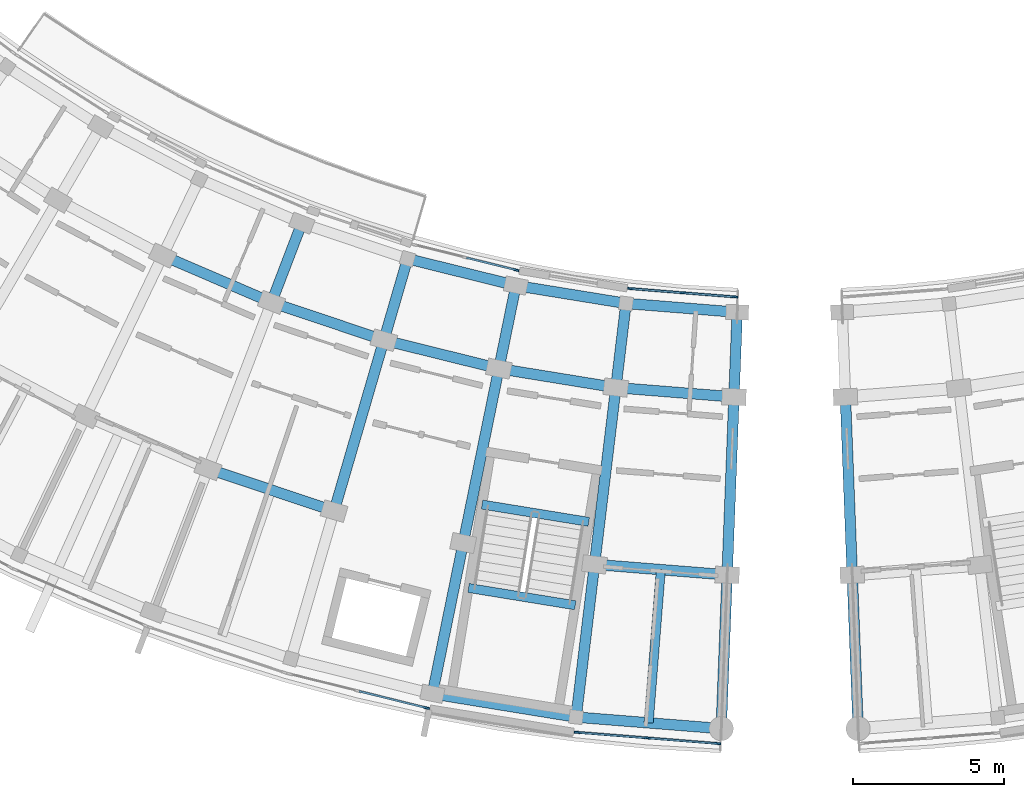
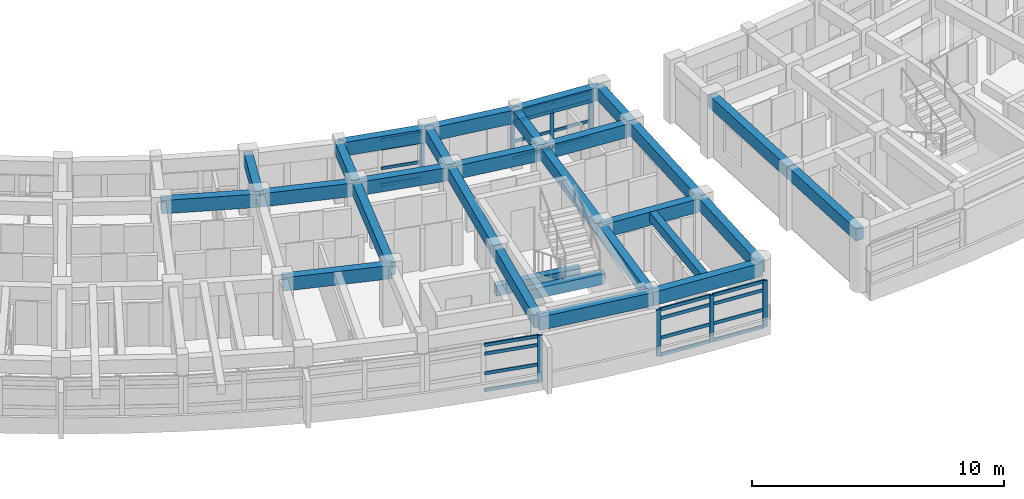
# One storey, part 12 of 56: 32 members, 29 beams, 4 elements without a shape of their own.
"""IFC4 building model written with IfcOpenShell, lengths in metres."""

from ifc_helpers import new_model, si_unit, direction, frame, origin, origin_2d, place, context, subcontext, project, spatial, rectangle, extrude, material, material_profile, profile_set, type_object, element, aggregate, save


model = new_model("IFC4")

# Units and contexts
model_context = context("Model", 3, precision=1e-05, world=origin(), true_north=direction((0.0, 1.0)))
body_context = subcontext(model_context, "Body", "Model", "MODEL_VIEW")
ifc_project = project(units=[si_unit("LENGTHUNIT", "METRE"), si_unit("AREAUNIT", "SQUARE_METRE"), si_unit("VOLUMEUNIT", "CUBIC_METRE"), si_unit("PLANEANGLEUNIT", "RADIAN"), si_unit("MASSUNIT", "GRAM", prefix="KILO")], contexts=[model_context])

# Site, building, storey
site_placement = place(None, origin())
site = spatial("IfcSite", under=ifc_project, at=site_placement, CompositionType="ELEMENT")
building_placement = place(site_placement, origin())
building = spatial("IfcBuilding", under=site, at=building_placement, Name="Zimvara Arc Housing Community", CompositionType="ELEMENT")
storey_placement = place(building_placement, frame((0.0, 0.0, 17.39990234375)))
storey = spatial("IfcBuildingStorey", under=building, at=storey_placement, Name="L05", CompositionType="ELEMENT", Elevation=17.39990234375)

# Beams
ifc_material_1 = material(Name="Concrete C40/50", Category="concrete")
ifc_material_profile_1 = material_profile(ifc_material_1, rectangle(XDim=0.300048828125, YDim=0.449951171875, at=origin_2d()), Name="RC 300x450")
ifc_profile_set_1 = profile_set([ifc_material_profile_1], Name="Concrete C40/50")
beam_type_1 = type_object("IfcBeamType", Name="BM-RC-300x450", PredefinedType="JOIST", material=ifc_profile_set_1)
beam_1_placement = place(storey_placement, frame((121.72509765625, 56.2734375, 2.64501953125), z_axis=(-0.079171686291, -0.99686099537, 0.0), x_axis=(0.99686099537, -0.079171686291, 0.0)))
element("IfcBeam", 1, at=beam_1_placement, inside=storey, type_object=beam_type_1, Name="bm:blkC:L05:joist:b9", PredefinedType="JOIST", context=body_context, shape_type="SweptSolid", body=[
    extrude(rectangle(XDim=0.300048828125, YDim=0.449951171875, at=origin_2d()), origin(), (0.0, 0.0, 1.0), 5.07568359375),
])
ifc_material_2 = material(Name="Concrete C40/50", Category="concrete")
ifc_material_profile_2 = material_profile(ifc_material_2, rectangle(XDim=0.300048828125, YDim=0.5, at=origin_2d()), Name="RC 300x500")
ifc_profile_set_2 = profile_set([ifc_material_profile_2], Name="Concrete C40/50")
beam_type_2 = type_object("IfcBeamType", Name="BM-RC-300x500", PredefinedType="BEAM", material=ifc_profile_set_2)
for number, where, z_axis, x_axis, name in (
    (2, (115.822265625, 58.423095703125, -0.25), (0.987080057935, -0.160227835371, 0.0), (0.160227835371, 0.987080057935, 0.0), "bm:stair_trim:ST-C2:L05:near"),
    (3, (115.375244140625, 55.6689453125, 1.300048828125), (0.987080057935, -0.160227835371, 0.0), (0.160227835371, 0.987080057935, 0.0), "bm:stair_trim:ST-C2:L05:mid"),
):
    element("IfcBeam", number, at=place(storey_placement, frame(where, z_axis=z_axis, x_axis=x_axis)), inside=storey, type_object=beam_type_2, Name=name, PredefinedType="BEAM", context=body_context, shape_type="SweptSolid", body=[
        extrude(rectangle(XDim=0.300048828125, YDim=0.5, at=origin_2d()), origin(), (0.0, 0.0, 1.0), 3.570068359375),
    ])
ifc_material_3 = material(Name="Concrete C40/50", Category="concrete")
ifc_material_profile_3 = material_profile(ifc_material_3, rectangle(XDim=0.35009765625, YDim=0.60009765625, at=origin_2d()), Name="RC 350x600")
ifc_profile_set_3 = profile_set([ifc_material_profile_3], Name="Concrete C40/50")
beam_type_3 = type_object("IfcBeamType", Name="BM-RC-350x600", PredefinedType="BEAM", material=ifc_profile_set_3)
for number, where, z_axis, x_axis, name in (
    (4, (109.869384765625, 67.71435546875, 2.570068359375), (-0.357126279724, -0.934056111982, 0.0), (0.934056111982, -0.357126279724, 0.0), "bm:blkC:L05:rad:b6:r01"),
    (5, (113.361572265625, 66.540283203125, 2.570068359375), (-0.279635015525, -0.960106378529, 0.0), (0.960106378529, -0.279635015525, 0.0), "bm:blkC:L05:rad:b7:r01"),
):
    element("IfcBeam", number, at=place(storey_placement, frame(where, z_axis=z_axis, x_axis=x_axis)), inside=storey, type_object=beam_type_3, Name=name, PredefinedType="BEAM", context=body_context, shape_type="SweptSolid", body=[
        extrude(rectangle(XDim=0.35009765625, YDim=0.60009765625, at=origin_2d()), origin(), (0.0, 0.0, 1.0), 2.800048828125),
    ])
beam_2_placement = place(storey_placement, frame((112.57861328125, 63.85205078125, 2.570068359375), z_axis=(-0.27964761269, -0.960102709462, 0.0), x_axis=(0.960102709462, -0.27964761269, 0.0)))
element("IfcBeam", 6, at=beam_2_placement, inside=storey, type_object=beam_type_3, Name="bm:blkC:L05:rad:b7:r12", PredefinedType="BEAM", context=body_context, shape_type="SweptSolid", body=[
    extrude(rectangle(XDim=0.35009765625, YDim=0.60009765625, at=origin_2d()), origin(), (0.0, 0.0, 1.0), 5.8798828125),
])
beam_3_placement = place(storey_placement, frame((116.938232421875, 65.6552734375, 2.570068359375), z_axis=(-0.20037341071, -0.979719600845, 0.0), x_axis=(0.979719600845, -0.20037341071, 0.0)))
element("IfcBeam", 7, at=beam_3_placement, inside=storey, type_object=beam_type_3, Name="bm:blkC:L05:rad:b8:r01", PredefinedType="BEAM", context=body_context, shape_type="SweptSolid", body=[
    extrude(rectangle(XDim=0.35009765625, YDim=0.60009765625, at=origin_2d()), origin(), (0.0, 0.0, 1.0), 2.800048828125),
])
beam_4_placement = place(storey_placement, frame((116.377197265625, 62.912109375, 2.570068359375), z_axis=(-0.200417973989, -0.979710485655, 0.0), x_axis=(0.979710485655, -0.200417973989, 0.0)))
element("IfcBeam", 8, at=beam_4_placement, inside=storey, type_object=beam_type_3, Name="bm:blkC:L05:rad:b8:r12", PredefinedType="BEAM", context=body_context, shape_type="SweptSolid", body=[
    extrude(rectangle(XDim=0.35009765625, YDim=0.60009765625, at=origin_2d()), origin(), (0.0, 0.0, 1.0), 5.880126953125),
])
beam_5_placement = place(storey_placement, frame((115.19873046875, 57.1513671875, 2.570068359375), z_axis=(-0.200356397601, -0.979723080233, 0.0), x_axis=(0.979723080233, -0.200356397601, 0.0)))
element("IfcBeam", 9, at=beam_5_placement, inside=storey, type_object=beam_type_3, Name="bm:blkC:L05:rad:b8:r23", PredefinedType="BEAM", context=body_context, shape_type="SweptSolid", body=[
    extrude(rectangle(XDim=0.35009765625, YDim=0.60009765625, at=origin_2d()), origin(), (0.0, 0.0, 1.0), 5.080078125),
])
beam_6_placement = place(storey_placement, frame((120.574951171875, 65.06494140625, 2.570068359375), z_axis=(-0.119719398078, -0.992807768767, 0.0), x_axis=(0.992807768767, -0.119719398078, 0.0)))
element("IfcBeam", 10, at=beam_6_placement, inside=storey, type_object=beam_type_3, Name="bm:blkC:L05:rad:b9:r01", PredefinedType="BEAM", context=body_context, shape_type="SweptSolid", body=[
    extrude(rectangle(XDim=0.35009765625, YDim=0.60009765625, at=origin_2d()), origin(), (0.0, 0.0, 1.0), 2.7998046875),
])
beam_7_placement = place(storey_placement, frame((120.23974609375, 62.28515625, 2.570068359375), z_axis=(-0.119786997154, -0.992799614884, 0.0), x_axis=(0.992799614884, -0.119786997154, 0.0)))
element("IfcBeam", 11, at=beam_7_placement, inside=storey, type_object=beam_type_3, Name="bm:blkC:L05:rad:b9:r12", PredefinedType="BEAM", context=body_context, shape_type="SweptSolid", body=[
    extrude(rectangle(XDim=0.35009765625, YDim=0.60009765625, at=origin_2d()), origin(), (0.0, 0.0, 1.0), 5.8798828125),
])
beam_8_placement = place(storey_placement, frame((119.535400390625, 56.447509765625, 2.570068359375), z_axis=(-0.119810359757, -0.992796795772, 0.0), x_axis=(0.992796795772, -0.119810359757, 0.0)))
element("IfcBeam", 12, at=beam_8_placement, inside=storey, type_object=beam_type_3, Name="bm:blkC:L05:rad:b9:r23", PredefinedType="BEAM", context=body_context, shape_type="SweptSolid", body=[
    extrude(rectangle(XDim=0.35009765625, YDim=0.60009765625, at=origin_2d()), origin(), (0.0, 0.0, 1.0), 5.080078125),
])
beam_9_placement = place(storey_placement, frame((124.248046875, 64.773193359375, 2.570068359375), z_axis=(-0.038453214409, -0.999260401648, 0.0), x_axis=(0.999260401648, -0.038453214409, 0.0)))
element("IfcBeam", 13, at=beam_9_placement, inside=storey, type_object=beam_type_3, Name="bm:blkC:L05:rad:b10:r01", PredefinedType="BEAM", context=body_context, shape_type="SweptSolid", body=[
    extrude(rectangle(XDim=0.35009765625, YDim=0.60009765625, at=origin_2d()), origin(), (0.0, 0.0, 1.0), 2.7998046875),
])
beam_10_placement = place(storey_placement, frame((124.140380859375, 61.975341796875, 2.570068359375), z_axis=(-0.038364555613, -0.999263809448, 0.0), x_axis=(0.999263809448, -0.038364555613, 0.0)))
element("IfcBeam", 14, at=beam_10_placement, inside=storey, type_object=beam_type_3, Name="bm:blkC:L05:rad:b10:r12", PredefinedType="BEAM", context=body_context, shape_type="SweptSolid", body=[
    extrude(rectangle(XDim=0.35009765625, YDim=0.60009765625, at=origin_2d()), origin(), (0.0, 0.0, 1.0), 5.880126953125),
])
beam_11_placement = place(storey_placement, frame((123.914794921875, 56.099609375, 2.570068359375), z_axis=(-0.038399898954, -0.999262451892, 0.0), x_axis=(0.999262451892, -0.038399898954, 0.0)))
element("IfcBeam", 15, at=beam_11_placement, inside=storey, type_object=beam_type_3, Name="bm:blkC:L05:rad:b10:r23", PredefinedType="BEAM", context=body_context, shape_type="SweptSolid", body=[
    extrude(rectangle(XDim=0.35009765625, YDim=0.60009765625, at=origin_2d()), origin(), (0.0, 0.0, 1.0), 5.079833984375),
])
beam_12_placement = place(storey_placement, frame((127.819580078125, 61.975341796875, 2.570068359375), z_axis=(0.038364555613, -0.999263809448, 0.0), x_axis=(0.999263809448, 0.038364555613, 0.0)))
element("IfcBeam", 16, at=beam_12_placement, inside=storey, type_object=beam_type_3, Name="bm:blkD:L05:rad:b0:r12", PredefinedType="BEAM", context=body_context, shape_type="SweptSolid", body=[
    extrude(rectangle(XDim=0.35009765625, YDim=0.60009765625, at=origin_2d()), origin(), (0.0, 0.0, 1.0), 5.880126953125),
])
beam_13_placement = place(storey_placement, frame((128.045166015625, 56.099609375, 2.570068359375), z_axis=(0.038399898954, -0.999262451892, 0.0), x_axis=(0.999262451892, 0.038399898954, 0.0)))
element("IfcBeam", 17, at=beam_13_placement, inside=storey, type_object=beam_type_3, Name="bm:blkD:L05:rad:b0:r23", PredefinedType="BEAM", context=body_context, shape_type="SweptSolid", body=[
    extrude(rectangle(XDim=0.35009765625, YDim=0.60009765625, at=origin_2d()), origin(), (0.0, 0.0, 1.0), 5.079833984375),
])
ifc_material_4 = material(Name="Concrete C40/50", Category="concrete")
ifc_material_profile_4 = material_profile(ifc_material_4, rectangle(XDim=0.35009765625, YDim=0.64990234375, at=origin_2d()), Name="RC 350x650")
ifc_profile_set_4 = profile_set([ifc_material_profile_4], Name="Concrete C40/50")
beam_type_4 = type_object("IfcBeamType", Name="BM-RC-350x650", PredefinedType="BEAM", material=ifc_profile_set_4)
beam_14_placement = place(storey_placement, frame((113.361572265625, 66.540283203125, 2.545166015625), z_axis=(0.970724337693, -0.240196295163, 0.0), x_axis=(0.240196295163, 0.970724337693, 0.0)))
element("IfcBeam", 18, at=beam_14_placement, inside=storey, type_object=beam_type_4, Name="bm:blkC:L05:chord:r0:b7", PredefinedType="BEAM", context=body_context, shape_type="SweptSolid", body=[
    extrude(rectangle(XDim=0.35009765625, YDim=0.64990234375, at=origin_2d()), origin(), (0.0, 0.0, 1.0), 3.6845703125),
])
beam_15_placement = place(storey_placement, frame((116.938232421875, 65.6552734375, 2.545166015625), z_axis=(0.987079996944, -0.160228211104, 0.0), x_axis=(0.160228211104, 0.987079996944, 0.0)))
element("IfcBeam", 19, at=beam_15_placement, inside=storey, type_object=beam_type_4, Name="bm:blkC:L05:chord:r0:b8", PredefinedType="BEAM", context=body_context, shape_type="SweptSolid", body=[
    extrude(rectangle(XDim=0.35009765625, YDim=0.64990234375, at=origin_2d()), origin(), (0.0, 0.0, 1.0), 3.684326171875),
])
beam_16_placement = place(storey_placement, frame((120.574951171875, 65.06494140625, 2.545166015625), z_axis=(0.996860413745, -0.079179009267, 0.0), x_axis=(0.079179009267, 0.996860413745, 0.0)))
element("IfcBeam", 20, at=beam_16_placement, inside=storey, type_object=beam_type_4, Name="bm:blkC:L05:chord:r0:b9", PredefinedType="BEAM", context=body_context, shape_type="SweptSolid", body=[
    extrude(rectangle(XDim=0.35009765625, YDim=0.64990234375, at=origin_2d()), origin(), (0.0, 0.0, 1.0), 3.6845703125),
])
for number, where, z_axis, x_axis, name in (
    (21, (105.2744140625, 66.644287109375, 2.545166015625), (0.918708805961, -0.394935602155, 0.0), (0.394935602155, 0.918708805961, 0.0), "bm:blkC:L05:chord:r1:b5"),
    (22, (108.869384765625, 65.098876953125, 2.545166015625), (0.947881689069, -0.31862250945, 0.0), (0.31862250945, 0.947881689069, 0.0), "bm:blkC:L05:chord:r1:b6"),
    (23, (112.57861328125, 63.85205078125, 2.545166015625), (0.970723220586, -0.240200809773, 0.0), (0.240200809773, 0.970723220586, 0.0), "bm:blkC:L05:chord:r1:b7"),
    (24, (116.377197265625, 62.912109375, 2.545166015625), (0.987081487371, -0.160219029111, 0.0), (0.160219029111, 0.987081487371, 0.0), "bm:blkC:L05:chord:r1:b8"),
):
    element("IfcBeam", number, at=place(storey_placement, frame(where, z_axis=z_axis, x_axis=x_axis)), inside=storey, type_object=beam_type_4, Name=name, PredefinedType="BEAM", context=body_context, shape_type="SweptSolid", body=[
        extrude(rectangle(XDim=0.35009765625, YDim=0.64990234375, at=origin_2d()), origin(), (0.0, 0.0, 1.0), 3.9130859375),
    ])
beam_17_placement = place(storey_placement, frame((120.23974609375, 62.28515625, 2.545166015625), z_axis=(0.99686054795, -0.079177319606, 0.0), x_axis=(0.079177319606, 0.99686054795, 0.0)))
element("IfcBeam", 25, at=beam_17_placement, inside=storey, type_object=beam_type_4, Name="bm:blkC:L05:chord:r1:b9", PredefinedType="BEAM", context=body_context, shape_type="SweptSolid", body=[
    extrude(rectangle(XDim=0.35009765625, YDim=0.64990234375, at=origin_2d()), origin(), (0.0, 0.0, 1.0), 3.912841796875),
])
for number, where, z_axis, x_axis, name in (
    (26, (106.77001953125, 59.6064453125, 2.545166015625), (0.947891222174, -0.318594147665, 0.0), (0.318594147665, 0.947891222174, 0.0), "bm:blkC:L05:chord:r2:b6"),
    (27, (119.535400390625, 56.447509765625, 2.545166015625), (0.996859476344, -0.079190810224, 0.0), (0.079190810224, 0.996859476344, 0.0), "bm:blkC:L05:chord:r2:b9"),
):
    element("IfcBeam", number, at=place(storey_placement, frame(where, z_axis=z_axis, x_axis=x_axis)), inside=storey, type_object=beam_type_4, Name=name, PredefinedType="BEAM", context=body_context, shape_type="SweptSolid", body=[
        extrude(rectangle(XDim=0.35009765625, YDim=0.64990234375, at=origin_2d()), origin(), (0.0, 0.0, 1.0), 4.393310546875),
    ])
beam_18_placement = place(storey_placement, frame((114.180908203125, 52.17431640625, 2.545166015625), z_axis=(0.987083566885, -0.160206217065, 0.0), x_axis=(0.160206217065, 0.987083566885, 0.0)))
element("IfcBeam", 28, at=beam_18_placement, inside=storey, type_object=beam_type_4, Name="bm:blkC:L05:chord:r3:b8", PredefinedType="BEAM", context=body_context, shape_type="SweptSolid", body=[
    extrude(rectangle(XDim=0.35009765625, YDim=0.64990234375, at=origin_2d()), origin(), (0.0, 0.0, 1.0), 4.807861328125),
])
beam_19_placement = place(storey_placement, frame((118.9267578125, 51.404052734375, 2.545166015625), z_axis=(0.996861768207, -0.0791619548, 0.0), x_axis=(0.0791619548, 0.996861768207, 0.0)))
element("IfcBeam", 29, at=beam_19_placement, inside=storey, type_object=beam_type_4, Name="bm:blkC:L05:chord:r3:b9", PredefinedType="BEAM", context=body_context, shape_type="SweptSolid", body=[
    extrude(rectangle(XDim=0.35009765625, YDim=0.64990234375, at=origin_2d()), origin(), (0.0, 0.0, 1.0), 4.80810546875),
])

# Curtain wall, member
ifc_material_5 = material(Name="Anodised Aluminium AW-6063", Category="aluminium")
curtain_wall_type_1 = type_object("IfcCurtainWallType", Name="CW-SYS-02", PredefinedType="USERDEFINED", material=ifc_material_5)
curtain_wall_1_placement = place(storey_placement, origin())
curtain_wall_1 = element("IfcCurtainWall", 30, at=curtain_wall_1_placement, inside=storey, type_object=curtain_wall_type_1, Name="cw:blkC:L05:in:b7", ObjectType="CURTAIN WALL", PredefinedType="USERDEFINED")
ifc_material_6 = material(Name="Anodised Aluminium AW-6063", Category="aluminium")
ifc_material_profile_5 = material_profile(ifc_material_6, rectangle(XDim=0.06494140625, YDim=0.179931640625, at=origin_2d()), Name="ALU 65x180")
ifc_profile_set_5 = profile_set([ifc_material_profile_5], Name="Anodised Aluminium AW-6063")
member_type_1 = type_object("IfcMemberType", Name="CWM-65x150", PredefinedType="MULLION", material=ifc_profile_set_5)
member_1_placement = place(storey_placement, frame((116.94873046875, 66.167236328125, 0.0), z_axis=(0.0, 0.0, 1.0), x_axis=(0.240227815706, 0.970716537698, 0.0)))
member_1 = element("IfcMember", 31, at=member_1_placement, type_object=member_type_1, Name="CW02 mullion 3", PredefinedType="MULLION", context=body_context, shape_type="SweptSolid", body=[
    extrude(rectangle(XDim=0.06494140625, YDim=0.179931640625, at=origin_2d()), origin(), (0.0, 0.0, 1.0), 2.25),
])

# Curtain wall, members
ifc_material_7 = material(Name="Anodised Aluminium AW-6063", Category="aluminium")
curtain_wall_type_2 = type_object("IfcCurtainWallType", Name="CW-SYS-04", PredefinedType="USERDEFINED", material=ifc_material_7)
curtain_wall_2_placement = place(storey_placement, origin())
curtain_wall_2 = element("IfcCurtainWall", 32, at=curtain_wall_2_placement, inside=storey, type_object=curtain_wall_type_2, Name="cw:blkC:L05:in:b9", ObjectType="CURTAIN WALL", PredefinedType="USERDEFINED")
member_2_placement = place(storey_placement, frame((120.72705078125, 65.553955078125, 0.0), z_axis=(0.0, 0.0, 1.0), x_axis=(0.079154709897, 0.996862343506, 0.0)))
member_2 = element("IfcMember", 33, at=member_2_placement, type_object=member_type_1, Name="CW04 mullion 1", PredefinedType="MULLION", context=body_context, shape_type="SweptSolid", body=[
    extrude(rectangle(XDim=0.06494140625, YDim=0.179931640625, at=origin_2d()), origin(), (0.0, 0.0, 1.0), 2.25),
])
member_3_placement = place(storey_placement, frame((122.450927734375, 65.4169921875, 0.0), z_axis=(0.0, 0.0, 1.0), x_axis=(0.079154709897, 0.996862343506, 0.0)))
member_3 = element("IfcMember", 34, at=member_3_placement, type_object=member_type_1, Name="CW04 mullion 2", PredefinedType="MULLION", context=body_context, shape_type="SweptSolid", body=[
    extrude(rectangle(XDim=0.06494140625, YDim=0.179931640625, at=origin_2d()), origin(), (0.0, 0.0, 1.0), 2.25),
])
member_4_placement = place(storey_placement, frame((124.1748046875, 65.2802734375, 0.0), z_axis=(0.0, 0.0, 1.0), x_axis=(0.079154709897, 0.996862343506, 0.0)))
member_4 = element("IfcMember", 35, at=member_4_placement, type_object=member_type_1, Name="CW04 mullion 3", PredefinedType="MULLION", context=body_context, shape_type="SweptSolid", body=[
    extrude(rectangle(XDim=0.06494140625, YDim=0.179931640625, at=origin_2d()), origin(), (0.0, 0.0, 1.0), 2.25),
])

# Curtain wall, member
ifc_material_8 = material(Name="Anodised Aluminium AW-6063", Category="aluminium")
curtain_wall_type_3 = type_object("IfcCurtainWallType", Name="CW-SYS-01", PredefinedType="USERDEFINED", material=ifc_material_8)
curtain_wall_3_placement = place(storey_placement, origin())
curtain_wall_3 = element("IfcCurtainWall", 36, at=curtain_wall_3_placement, inside=storey, type_object=curtain_wall_type_3, Name="cw:blkC:L05:out:b7", ObjectType="CURTAIN WALL", PredefinedType="USERDEFINED")
ifc_material_9 = material(Name="Anodised Aluminium AW-6063", Category="aluminium")
ifc_material_profile_6 = material_profile(ifc_material_9, rectangle(XDim=0.06494140625, YDim=0.195068359375, at=origin_2d()), Name="ALU 65x195")
ifc_profile_set_6 = profile_set([ifc_material_profile_6], Name="Anodised Aluminium AW-6063")
member_type_2 = type_object("IfcMemberType", Name="CWM-65x180", PredefinedType="MULLION", material=ifc_profile_set_6)
member_5_placement = place(storey_placement, frame((113.99072265625, 51.706787109375, 0.0), z_axis=(0.0, 0.0, 1.0), x_axis=(0.240229711131, 0.970716068627, 0.0)))
member_5 = element("IfcMember", 37, at=member_5_placement, type_object=member_type_2, Name="CW01 mullion 3", PredefinedType="MULLION", context=body_context, shape_type="SweptSolid", body=[
    extrude(rectangle(XDim=0.06494140625, YDim=0.195068359375, at=origin_2d()), origin(), (0.0, 0.0, 1.0), 2.25),
])

# Curtain wall, members
ifc_material_10 = material(Name="Anodised Aluminium AW-6063", Category="aluminium")
curtain_wall_type_4 = type_object("IfcCurtainWallType", Name="CW-SYS-03", PredefinedType="USERDEFINED", material=ifc_material_10)
curtain_wall_4_placement = place(storey_placement, origin())
curtain_wall_4 = element("IfcCurtainWall", 38, at=curtain_wall_4_placement, inside=storey, type_object=curtain_wall_type_4, Name="cw:blkC:L05:out:b9", ObjectType="CURTAIN WALL", PredefinedType="USERDEFINED")
member_6_placement = place(storey_placement, frame((118.958984375, 50.900146484375, 0.0), z_axis=(0.0, 0.0, 1.0), x_axis=(0.079153759607, 0.996862418963, 0.0)))
member_6 = element("IfcMember", 39, at=member_6_placement, type_object=member_type_2, Name="CW03 mullion 1", PredefinedType="MULLION", context=body_context, shape_type="SweptSolid", body=[
    extrude(rectangle(XDim=0.06494140625, YDim=0.195068359375, at=origin_2d()), origin(), (0.0, 0.0, 1.0), 2.25),
])
member_7_placement = place(storey_placement, frame((121.28369140625, 50.715576171875, 0.0), z_axis=(0.0, 0.0, 1.0), x_axis=(0.079153759607, 0.996862418963, 0.0)))
member_7 = element("IfcMember", 40, at=member_7_placement, type_object=member_type_2, Name="CW03 mullion 2", PredefinedType="MULLION", context=body_context, shape_type="SweptSolid", body=[
    extrude(rectangle(XDim=0.06494140625, YDim=0.195068359375, at=origin_2d()), origin(), (0.0, 0.0, 1.0), 2.25),
])
member_8_placement = place(storey_placement, frame((123.6083984375, 50.531005859375, 0.0), z_axis=(0.0, 0.0, 1.0), x_axis=(0.079153759607, 0.996862418963, 0.0)))
member_8 = element("IfcMember", 41, at=member_8_placement, type_object=member_type_2, Name="CW03 mullion 3", PredefinedType="MULLION", context=body_context, shape_type="SweptSolid", body=[
    extrude(rectangle(XDim=0.06494140625, YDim=0.195068359375, at=origin_2d()), origin(), (0.0, 0.0, 1.0), 2.25),
])

# Member
ifc_material_11 = material(Name="Anodised Aluminium AW-6063", Category="aluminium")
ifc_material_profile_7 = material_profile(ifc_material_11, rectangle(XDim=0.06494140625, YDim=0.139892578125, at=origin_2d()), Name="ALU 65x140")
ifc_profile_set_7 = profile_set([ifc_material_profile_7], Name="Anodised Aluminium AW-6063")
member_type_3 = type_object("IfcMemberType", Name="CWT-65x120", PredefinedType="USERDEFINED", material=ifc_profile_set_7)
member_9_placement = place(storey_placement, frame((115.301513671875, 66.574951171875, 0.03271484375), z_axis=(0.970700809973, -0.24029135964, 0.0), x_axis=(0.24029135964, 0.970700809973, 0.0)))
member_9 = element("IfcMember", 42, at=member_9_placement, type_object=member_type_3, Name="CW02 transom 2.1", ObjectType="TRANSOM", PredefinedType="USERDEFINED", context=body_context, shape_type="SweptSolid", body=[
    extrude(rectangle(XDim=0.06494140625, YDim=0.139892578125, at=origin_2d()), origin(), (0.0, 0.0, 1.0), 1.664306640625),
])

member_10_placement = place(storey_placement, frame((115.301513671875, 66.574951171875, 0.85009765625), z_axis=(0.970700809973, -0.24029135964, 0.0), x_axis=(0.24029135964, 0.970700809973, 0.0)))
member_10 = element("IfcMember", 43, at=member_10_placement, type_object=member_type_3, Name="CW02 transom 2.2", ObjectType="TRANSOM", PredefinedType="USERDEFINED", context=body_context, shape_type="SweptSolid", body=[
    extrude(rectangle(XDim=0.06494140625, YDim=0.139892578125, at=origin_2d()), origin(), (0.0, 0.0, 1.0), 1.664306640625),
])

member_11_placement = place(storey_placement, frame((115.301513671875, 66.574951171875, 1.800048828125), z_axis=(0.970700809973, -0.24029135964, 0.0), x_axis=(0.24029135964, 0.970700809973, 0.0)))
member_11 = element("IfcMember", 44, at=member_11_placement, type_object=member_type_3, Name="CW02 transom 2.3", ObjectType="TRANSOM", PredefinedType="USERDEFINED", context=body_context, shape_type="SweptSolid", body=[
    extrude(rectangle(XDim=0.06494140625, YDim=0.139892578125, at=origin_2d()), origin(), (0.0, 0.0, 1.0), 1.664306640625),
])

member_12_placement = place(storey_placement, frame((115.301513671875, 66.574951171875, 2.217529296875), z_axis=(0.970700809973, -0.24029135964, 0.0), x_axis=(0.24029135964, 0.970700809973, 0.0)))
member_12 = element("IfcMember", 45, at=member_12_placement, type_object=member_type_3, Name="CW02 transom 2.4", ObjectType="TRANSOM", PredefinedType="USERDEFINED", context=body_context, shape_type="SweptSolid", body=[
    extrude(rectangle(XDim=0.06494140625, YDim=0.139892578125, at=origin_2d()), origin(), (0.0, 0.0, 1.0), 1.664306640625),
])

aggregate(curtain_wall_1, [member_1, member_9, member_10, member_11, member_12])

member_13_placement = place(storey_placement, frame((120.759521484375, 65.551513671875, 0.03271484375), z_axis=(0.99685804311, -0.079208849806, 0.0), x_axis=(0.079208849806, 0.99685804311, 0.0)))
member_13 = element("IfcMember", 46, at=member_13_placement, type_object=member_type_3, Name="CW04 transom 1.1", ObjectType="TRANSOM", PredefinedType="USERDEFINED", context=body_context, shape_type="SweptSolid", body=[
    extrude(rectangle(XDim=0.06494140625, YDim=0.139892578125, at=origin_2d()), origin(), (0.0, 0.0, 1.0), 1.664306640625),
])

member_14_placement = place(storey_placement, frame((120.759521484375, 65.551513671875, 0.85009765625), z_axis=(0.99685804311, -0.079208849806, 0.0), x_axis=(0.079208849806, 0.99685804311, 0.0)))
member_14 = element("IfcMember", 47, at=member_14_placement, type_object=member_type_3, Name="CW04 transom 1.2", ObjectType="TRANSOM", PredefinedType="USERDEFINED", context=body_context, shape_type="SweptSolid", body=[
    extrude(rectangle(XDim=0.06494140625, YDim=0.139892578125, at=origin_2d()), origin(), (0.0, 0.0, 1.0), 1.664306640625),
])

member_15_placement = place(storey_placement, frame((120.759521484375, 65.551513671875, 1.800048828125), z_axis=(0.99685804311, -0.079208849806, 0.0), x_axis=(0.079208849806, 0.99685804311, 0.0)))
member_15 = element("IfcMember", 48, at=member_15_placement, type_object=member_type_3, Name="CW04 transom 1.3", ObjectType="TRANSOM", PredefinedType="USERDEFINED", context=body_context, shape_type="SweptSolid", body=[
    extrude(rectangle(XDim=0.06494140625, YDim=0.139892578125, at=origin_2d()), origin(), (0.0, 0.0, 1.0), 1.664306640625),
])

member_16_placement = place(storey_placement, frame((120.759521484375, 65.551513671875, 2.217529296875), z_axis=(0.99685804311, -0.079208849806, 0.0), x_axis=(0.079208849806, 0.99685804311, 0.0)))
member_16 = element("IfcMember", 49, at=member_16_placement, type_object=member_type_3, Name="CW04 transom 1.4", ObjectType="TRANSOM", PredefinedType="USERDEFINED", context=body_context, shape_type="SweptSolid", body=[
    extrude(rectangle(XDim=0.06494140625, YDim=0.139892578125, at=origin_2d()), origin(), (0.0, 0.0, 1.0), 1.664306640625),
])

member_17_placement = place(storey_placement, frame((122.4833984375, 65.41455078125, 0.03271484375), z_axis=(0.99685804311, -0.079208849806, 0.0), x_axis=(0.079208849806, 0.99685804311, 0.0)))
member_17 = element("IfcMember", 50, at=member_17_placement, type_object=member_type_3, Name="CW04 transom 2.1", ObjectType="TRANSOM", PredefinedType="USERDEFINED", context=body_context, shape_type="SweptSolid", body=[
    extrude(rectangle(XDim=0.06494140625, YDim=0.139892578125, at=origin_2d()), origin(), (0.0, 0.0, 1.0), 1.664306640625),
])

member_18_placement = place(storey_placement, frame((122.4833984375, 65.41455078125, 0.85009765625), z_axis=(0.99685804311, -0.079208849806, 0.0), x_axis=(0.079208849806, 0.99685804311, 0.0)))
member_18 = element("IfcMember", 51, at=member_18_placement, type_object=member_type_3, Name="CW04 transom 2.2", ObjectType="TRANSOM", PredefinedType="USERDEFINED", context=body_context, shape_type="SweptSolid", body=[
    extrude(rectangle(XDim=0.06494140625, YDim=0.139892578125, at=origin_2d()), origin(), (0.0, 0.0, 1.0), 1.664306640625),
])

member_19_placement = place(storey_placement, frame((122.4833984375, 65.41455078125, 1.800048828125), z_axis=(0.99685804311, -0.079208849806, 0.0), x_axis=(0.079208849806, 0.99685804311, 0.0)))
member_19 = element("IfcMember", 52, at=member_19_placement, type_object=member_type_3, Name="CW04 transom 2.3", ObjectType="TRANSOM", PredefinedType="USERDEFINED", context=body_context, shape_type="SweptSolid", body=[
    extrude(rectangle(XDim=0.06494140625, YDim=0.139892578125, at=origin_2d()), origin(), (0.0, 0.0, 1.0), 1.664306640625),
])

member_20_placement = place(storey_placement, frame((122.4833984375, 65.41455078125, 2.217529296875), z_axis=(0.99685804311, -0.079208849806, 0.0), x_axis=(0.079208849806, 0.99685804311, 0.0)))
member_20 = element("IfcMember", 53, at=member_20_placement, type_object=member_type_3, Name="CW04 transom 2.4", ObjectType="TRANSOM", PredefinedType="USERDEFINED", context=body_context, shape_type="SweptSolid", body=[
    extrude(rectangle(XDim=0.06494140625, YDim=0.139892578125, at=origin_2d()), origin(), (0.0, 0.0, 1.0), 1.664306640625),
])

aggregate(curtain_wall_2, [member_2, member_3, member_4, member_13, member_14, member_15, member_16, member_17, member_18, member_19, member_20])

ifc_material_12 = material(Name="Anodised Aluminium AW-6063", Category="aluminium")
ifc_material_profile_8 = material_profile(ifc_material_12, rectangle(XDim=0.06494140625, YDim=0.155029296875, at=origin_2d()), Name="ALU 65x155")
ifc_profile_set_8 = profile_set([ifc_material_profile_8], Name="Anodised Aluminium AW-6063")
member_type_4 = type_object("IfcMemberType", Name="CWT-65x140", PredefinedType="USERDEFINED", material=ifc_profile_set_8)
member_21_placement = place(storey_placement, frame((111.7587890625, 52.259033203125, 0.03271484375), z_axis=(0.970728837212, -0.240178110172, 0.0), x_axis=(0.240178110172, 0.970728837212, 0.0)))
member_21 = element("IfcMember", 54, at=member_21_placement, type_object=member_type_4, Name="CW01 transom 2.1", ObjectType="TRANSOM", PredefinedType="USERDEFINED", context=body_context, shape_type="SweptSolid", body=[
    extrude(rectangle(XDim=0.06494140625, YDim=0.155029296875, at=origin_2d()), origin(), (0.0, 0.0, 1.0), 2.266845703125),
])

member_22_placement = place(storey_placement, frame((111.7587890625, 52.259033203125, 0.85009765625), z_axis=(0.970728837212, -0.240178110172, 0.0), x_axis=(0.240178110172, 0.970728837212, 0.0)))
member_22 = element("IfcMember", 55, at=member_22_placement, type_object=member_type_4, Name="CW01 transom 2.2", ObjectType="TRANSOM", PredefinedType="USERDEFINED", context=body_context, shape_type="SweptSolid", body=[
    extrude(rectangle(XDim=0.06494140625, YDim=0.155029296875, at=origin_2d()), origin(), (0.0, 0.0, 1.0), 2.266845703125),
])

member_23_placement = place(storey_placement, frame((111.7587890625, 52.259033203125, 1.800048828125), z_axis=(0.970728837212, -0.240178110172, 0.0), x_axis=(0.240178110172, 0.970728837212, 0.0)))
member_23 = element("IfcMember", 56, at=member_23_placement, type_object=member_type_4, Name="CW01 transom 2.3", ObjectType="TRANSOM", PredefinedType="USERDEFINED", context=body_context, shape_type="SweptSolid", body=[
    extrude(rectangle(XDim=0.06494140625, YDim=0.155029296875, at=origin_2d()), origin(), (0.0, 0.0, 1.0), 2.266845703125),
])

member_24_placement = place(storey_placement, frame((111.7587890625, 52.259033203125, 2.217529296875), z_axis=(0.970728837212, -0.240178110172, 0.0), x_axis=(0.240178110172, 0.970728837212, 0.0)))
member_24 = element("IfcMember", 57, at=member_24_placement, type_object=member_type_4, Name="CW01 transom 2.4", ObjectType="TRANSOM", PredefinedType="USERDEFINED", context=body_context, shape_type="SweptSolid", body=[
    extrude(rectangle(XDim=0.06494140625, YDim=0.155029296875, at=origin_2d()), origin(), (0.0, 0.0, 1.0), 2.266845703125),
])

aggregate(curtain_wall_3, [member_5, member_21, member_22, member_23, member_24])

member_25_placement = place(storey_placement, frame((118.991455078125, 50.897705078125, 0.03271484375), z_axis=(0.996862021022, -0.079158771116, 0.0), x_axis=(0.079158771116, 0.996862021022, 0.0)))
member_25 = element("IfcMember", 58, at=member_25_placement, type_object=member_type_4, Name="CW03 transom 1.1", ObjectType="TRANSOM", PredefinedType="USERDEFINED", context=body_context, shape_type="SweptSolid", body=[
    extrude(rectangle(XDim=0.06494140625, YDim=0.155029296875, at=origin_2d()), origin(), (0.0, 0.0, 1.0), 2.266845703125),
])

member_26_placement = place(storey_placement, frame((118.991455078125, 50.897705078125, 0.85009765625), z_axis=(0.996862021022, -0.079158771116, 0.0), x_axis=(0.079158771116, 0.996862021022, 0.0)))
member_26 = element("IfcMember", 59, at=member_26_placement, type_object=member_type_4, Name="CW03 transom 1.2", ObjectType="TRANSOM", PredefinedType="USERDEFINED", context=body_context, shape_type="SweptSolid", body=[
    extrude(rectangle(XDim=0.06494140625, YDim=0.155029296875, at=origin_2d()), origin(), (0.0, 0.0, 1.0), 2.266845703125),
])

member_27_placement = place(storey_placement, frame((118.991455078125, 50.897705078125, 1.800048828125), z_axis=(0.996862021022, -0.079158771116, 0.0), x_axis=(0.079158771116, 0.996862021022, 0.0)))
member_27 = element("IfcMember", 60, at=member_27_placement, type_object=member_type_4, Name="CW03 transom 1.3", ObjectType="TRANSOM", PredefinedType="USERDEFINED", context=body_context, shape_type="SweptSolid", body=[
    extrude(rectangle(XDim=0.06494140625, YDim=0.155029296875, at=origin_2d()), origin(), (0.0, 0.0, 1.0), 2.266845703125),
])

member_28_placement = place(storey_placement, frame((118.991455078125, 50.897705078125, 2.217529296875), z_axis=(0.996862021022, -0.079158771116, 0.0), x_axis=(0.079158771116, 0.996862021022, 0.0)))
member_28 = element("IfcMember", 61, at=member_28_placement, type_object=member_type_4, Name="CW03 transom 1.4", ObjectType="TRANSOM", PredefinedType="USERDEFINED", context=body_context, shape_type="SweptSolid", body=[
    extrude(rectangle(XDim=0.06494140625, YDim=0.155029296875, at=origin_2d()), origin(), (0.0, 0.0, 1.0), 2.266845703125),
])

member_29_placement = place(storey_placement, frame((121.316162109375, 50.713134765625, 0.03271484375), z_axis=(0.996862021022, -0.079158771116, 0.0), x_axis=(0.079158771116, 0.996862021022, 0.0)))
member_29 = element("IfcMember", 62, at=member_29_placement, type_object=member_type_4, Name="CW03 transom 2.1", ObjectType="TRANSOM", PredefinedType="USERDEFINED", context=body_context, shape_type="SweptSolid", body=[
    extrude(rectangle(XDim=0.06494140625, YDim=0.155029296875, at=origin_2d()), origin(), (0.0, 0.0, 1.0), 2.266845703125),
])

member_30_placement = place(storey_placement, frame((121.316162109375, 50.713134765625, 0.85009765625), z_axis=(0.996862021022, -0.079158771116, 0.0), x_axis=(0.079158771116, 0.996862021022, 0.0)))
member_30 = element("IfcMember", 63, at=member_30_placement, type_object=member_type_4, Name="CW03 transom 2.2", ObjectType="TRANSOM", PredefinedType="USERDEFINED", context=body_context, shape_type="SweptSolid", body=[
    extrude(rectangle(XDim=0.06494140625, YDim=0.155029296875, at=origin_2d()), origin(), (0.0, 0.0, 1.0), 2.266845703125),
])

member_31_placement = place(storey_placement, frame((121.316162109375, 50.713134765625, 1.800048828125), z_axis=(0.996862021022, -0.079158771116, 0.0), x_axis=(0.079158771116, 0.996862021022, 0.0)))
member_31 = element("IfcMember", 64, at=member_31_placement, type_object=member_type_4, Name="CW03 transom 2.3", ObjectType="TRANSOM", PredefinedType="USERDEFINED", context=body_context, shape_type="SweptSolid", body=[
    extrude(rectangle(XDim=0.06494140625, YDim=0.155029296875, at=origin_2d()), origin(), (0.0, 0.0, 1.0), 2.266845703125),
])

member_32_placement = place(storey_placement, frame((121.316162109375, 50.713134765625, 2.217529296875), z_axis=(0.996862021022, -0.079158771116, 0.0), x_axis=(0.079158771116, 0.996862021022, 0.0)))
member_32 = element("IfcMember", 65, at=member_32_placement, type_object=member_type_4, Name="CW03 transom 2.4", ObjectType="TRANSOM", PredefinedType="USERDEFINED", context=body_context, shape_type="SweptSolid", body=[
    extrude(rectangle(XDim=0.06494140625, YDim=0.155029296875, at=origin_2d()), origin(), (0.0, 0.0, 1.0), 2.266845703125),
])

aggregate(curtain_wall_4, [member_6, member_7, member_8, member_25, member_26, member_27, member_28, member_29, member_30, member_31, member_32])

save(model, "model.ifc")
